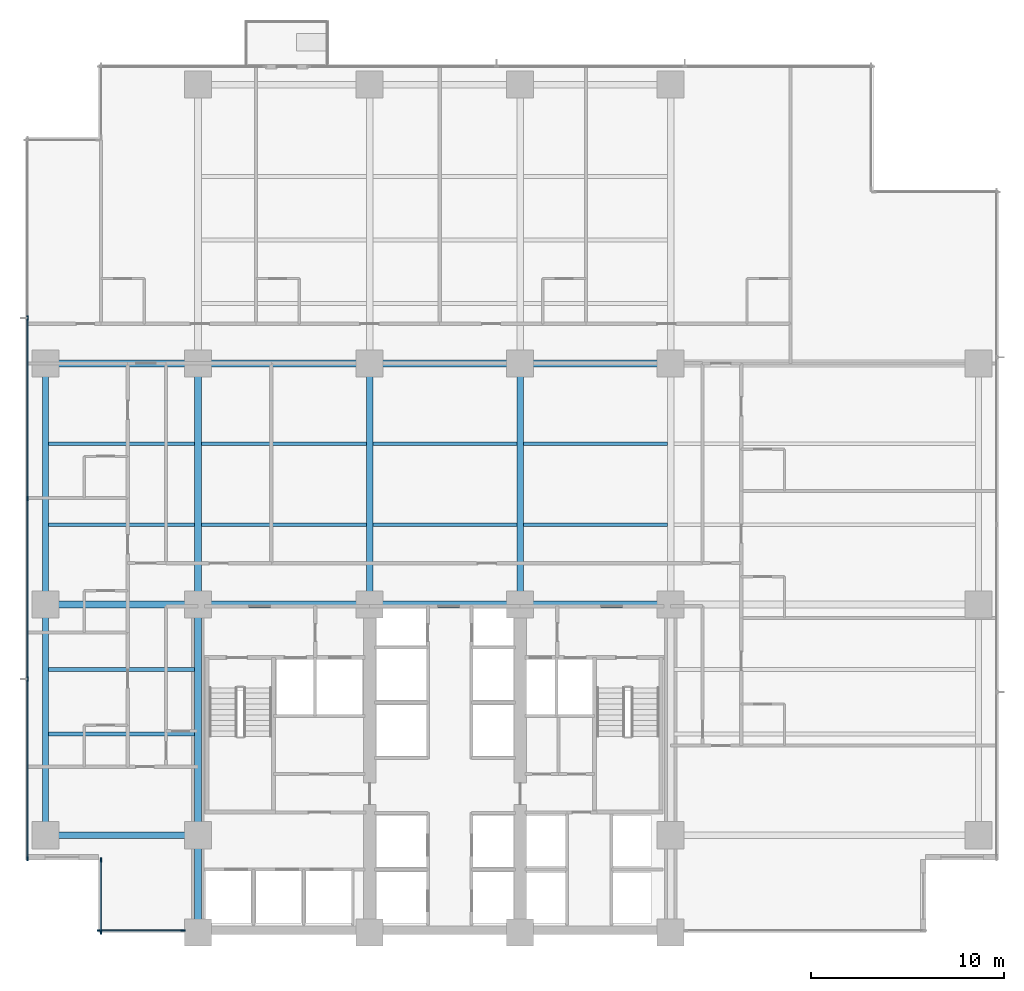
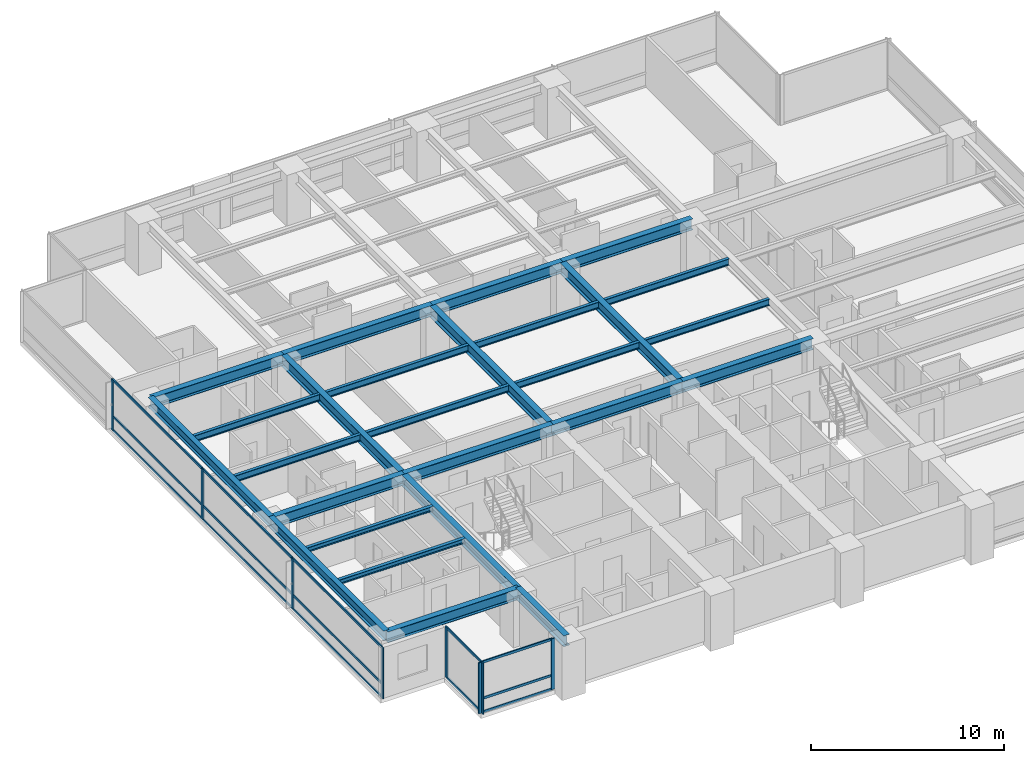
# One storey, part 2 of 17: 26 beams, 22 members, 3 elements without a shape of their own.
"""IFC4 building model written with IfcOpenShell, lengths in metres."""

import ifcopenshell
import ifcopenshell.guid

model = None  # the IFC model being written
_history = None  # IfcOwnerHistory: only IFC2X3 demands one
_inside = {}  # id of a spatial element -> (the spatial element, [elements in it])
_under = {}  # id of a project, library or spatial element -> (it, [spatial elements below it])
_declared = {}  # id of a project -> (the project, [libraries it declares])
_typed = {}  # id of a type object -> (the type object, [elements of that type])
_made_of = {}  # id of a material, layer set ... -> (it, [elements and type objects made of it])


def new_model(schema):
    """Start an empty IFC model of exactly this schema.

    Asked for "IFC4X3", IfcOpenShell would pick the latest addendum, in which some entities
    have other attributes; the version numbers below select the first issue.
    IFC2X3 requires an IfcOwnerHistory on every rooted entity: one is made here for all.
    """
    global model, _history
    if schema == "IFC4X3":
        model = ifcopenshell.file(schema_version=(4, 3, 0, 0))
    else:
        model = ifcopenshell.file(schema=schema)
    _inside.clear()
    _under.clear()
    _declared.clear()
    _typed.clear()
    _made_of.clear()
    _history = None
    if model.schema == "IFC2X3":
        org = make("IfcOrganization", Name="unknown")
        user = make(
            "IfcPersonAndOrganization",
            ThePerson=make("IfcPerson", FamilyName="unknown"),
            TheOrganization=org,
        )
        app = make(
            "IfcApplication",
            ApplicationDeveloper=org,
            Version="unknown",
            ApplicationFullName="unknown",
            ApplicationIdentifier="unknown",
        )
        _history = make(
            "IfcOwnerHistory",
            OwningUser=user,
            OwningApplication=app,
            ChangeAction="ADDED",
            CreationDate=0,
        )
    return model


def make(cls, **values):
    """One entity of the class cls with the attributes given. An attribute that is None is left unset."""
    return model.create_entity(
        cls, **{name: value for name, value in values.items() if value is not None}
    )


def rooted(cls, **values):
    """An entity with a GlobalId (a new one), such as an element, a storey or a relation."""
    return make(cls, GlobalId=ifcopenshell.guid.new(), OwnerHistory=_history, **values)


def si_unit(unit_type, name, prefix=None):
    """IfcSIUnit, for example si_unit("LENGTHUNIT", "METRE", prefix="MILLI")."""
    return make("IfcSIUnit", UnitType=unit_type, Prefix=prefix, Name=name)


def assignment(units):
    """IfcUnitAssignment: the units of a project."""
    return None if units is None else make("IfcUnitAssignment", Units=units)


def point(xyz):
    """IfcCartesianPoint."""
    return None if xyz is None else make("IfcCartesianPoint", Coordinates=xyz)


def direction(xyz):
    """IfcDirection."""
    return None if xyz is None else make("IfcDirection", DirectionRatios=xyz)


def frame(location, z_axis=None, x_axis=None):
    """IfcAxis2Placement3D, a coordinate frame: its origin and axes. An axis left out is left unset."""
    return make(
        "IfcAxis2Placement3D",
        Location=point(location),
        Axis=direction(z_axis),
        RefDirection=direction(x_axis),
    )


def frame_2d(location, x_axis=None):
    """IfcAxis2Placement2D, a coordinate frame in the plane: its origin and x axis."""
    return make(
        "IfcAxis2Placement2D", Location=point(location), RefDirection=direction(x_axis)
    )


def origin():
    """The frame at (0, 0, 0) with its axes left unset."""
    return frame((0.0, 0.0, 0.0))


def origin_2d():
    """The frame at (0, 0) in the plane with its x axis left unset."""
    return frame_2d((0.0, 0.0))


def place(relative_to, where):
    """IfcLocalPlacement: puts the frame where relative to a parent placement (None: the world)."""
    return make(
        "IfcLocalPlacement", PlacementRelTo=relative_to, RelativePlacement=where
    )


def context(
    kind, dimensions, precision=None, world=None, true_north=None, identifier=None
):
    """IfcGeometricRepresentationContext, for example the 3D "Model" context."""
    return make(
        "IfcGeometricRepresentationContext",
        ContextIdentifier=identifier,
        ContextType=kind,
        CoordinateSpaceDimension=dimensions,
        Precision=precision,
        WorldCoordinateSystem=world,
        TrueNorth=true_north,
    )


def subcontext(parent, identifier, kind, view, scale=None):
    """IfcGeometricRepresentationSubContext, for example "Body" below "Model"."""
    return make(
        "IfcGeometricRepresentationSubContext",
        ContextIdentifier=identifier,
        ContextType=kind,
        ParentContext=parent,
        TargetScale=scale,
        TargetView=view,
    )


def project(units=None, contexts=None):
    """IfcProject with its units and contexts."""
    return rooted(
        "IfcProject",
        Name="project",
        RepresentationContexts=contexts,
        UnitsInContext=assignment(units),
    )


def spatial(cls, under=None, at=None, **own):
    """A site, building, storey or space (cls), placed at a placement, below another one or the project."""
    s = rooted(cls, ObjectPlacement=at, **own)
    if under is not None:
        _under.setdefault(under.id(), (under, []))[1].append(s)
    return s


def profile(cls, at=None, kind="AREA", **sizes):
    """A parametric profile (cls). Its sizes go by their IFC names, for example OverallWidth=200.0."""
    return make(cls, ProfileType=kind, Position=at, **sizes)


def rectangle(**sizes):
    """IfcRectangleProfileDef."""
    return profile("IfcRectangleProfileDef", **sizes)


def i_section(**sizes):
    """IfcIShapeProfileDef."""
    return profile("IfcIShapeProfileDef", **sizes)


def extrude(swept, where, along, depth):
    """IfcExtrudedAreaSolid: the profile swept, set in the frame where, extruded along a direction by depth."""
    return make(
        "IfcExtrudedAreaSolid",
        SweptArea=swept,
        Position=where,
        ExtrudedDirection=direction(along),
        Depth=depth,
    )


def shape(context_of_items, identifier, shape_type, items):
    """IfcShapeRepresentation: the items that make up one representation, for example the "Body"."""
    return make(
        "IfcShapeRepresentation",
        ContextOfItems=context_of_items,
        RepresentationIdentifier=identifier,
        RepresentationType=shape_type,
        Items=items,
    )


def material(Name=None, Category=None):
    """IfcMaterial."""
    return make("IfcMaterial", Name=Name, Category=Category)


def layer(
    of_material, thickness, ventilated=None, Name=None, Category=None, Priority=None
):
    """IfcMaterialLayer: one layer of a wall or slab, of a material (None: an air gap)."""
    return make(
        "IfcMaterialLayer",
        Material=of_material,
        LayerThickness=thickness,
        IsVentilated=ventilated,
        Name=Name,
        Category=Category,
        Priority=Priority,
    )


def layer_set(layers, Name=None):
    """IfcMaterialLayerSet."""
    return make("IfcMaterialLayerSet", MaterialLayers=layers, LayerSetName=Name)


def material_profile(
    of_material, cross_section, Name=None, Category=None, Priority=None
):
    """IfcMaterialProfile: a cross section and its material."""
    return make(
        "IfcMaterialProfile",
        Name=Name,
        Material=of_material,
        Profile=cross_section,
        Priority=Priority,
        Category=Category,
    )


def profile_set(profiles, Name=None, composite=None):
    """IfcMaterialProfileSet."""
    return make(
        "IfcMaterialProfileSet",
        Name=Name,
        MaterialProfiles=profiles,
        CompositeProfile=composite,
    )


def made_of(thing, what):
    """Note that an element or type object is made of a material, layer set ...; save() writes the relation."""
    if what is not None:
        _made_of.setdefault(what.id(), (what, []))[1].append(thing)
    return thing


def type_object(cls, material=None, **own):
    """A type object (cls), such as IfcWallType, which elements share."""
    return made_of(rooted(cls, **own), material)


def element(
    cls,
    number,
    at=None,
    inside=None,
    cuts=None,
    type_object=None,
    material=None,
    context=None,
    identifier="Body",
    shape_type=None,
    held_by="IfcProductDefinitionShape",
    body=None,
    shapes=None,
    **own,
):
    """One element of the class cls, such as IfcWall. Its Tag is "e" and its number.

    at: its placement. inside: the storey or other place that contains it. cuts: it is an
    opening in that element (IfcRelVoidsElement). A single representation is given by context,
    identifier, shape_type and body (its items); several are given by shapes. held_by: the class
    of the entity that holds the representations. save() writes the other relations.
    """
    e = rooted(cls, Tag="e%d" % number, ObjectPlacement=at, **own)
    if body is not None:
        shapes = [shape(context, identifier, shape_type, body)]
    if shapes is not None:
        e.Representation = make(held_by, Representations=shapes)
    if inside is not None:
        _inside.setdefault(inside.id(), (inside, []))[1].append(e)
    if cuts is not None:
        rooted(
            "IfcRelVoidsElement", RelatingBuildingElement=cuts, RelatedOpeningElement=e
        )
    if type_object is not None:
        _typed.setdefault(type_object.id(), (type_object, []))[1].append(e)
    return made_of(e, material)


def aggregate(whole, parts):
    """IfcRelAggregates: a whole, such as a stair, and the parts it consists of."""
    return rooted("IfcRelAggregates", RelatingObject=whole, RelatedObjects=parts)


def save(model, path):
    """Write the relations noted so far, then the file.

    IfcRelAggregates (storeys below a building ...), IfcRelContainedInSpatialStructure (elements
    in a storey), IfcRelDefinesByType, IfcRelAssociatesMaterial and IfcRelDeclares: one each for
    every whole, place, type object, material and project.
    """
    for whole, parts in _under.values():
        aggregate(whole, parts)
    for where, things in _inside.values():
        rooted(
            "IfcRelContainedInSpatialStructure",
            RelatedElements=things,
            RelatingStructure=where,
        )
    for kind, things in _typed.values():
        rooted("IfcRelDefinesByType", RelatedObjects=things, RelatingType=kind)
    for what, things in _made_of.values():
        rooted("IfcRelAssociatesMaterial", RelatedObjects=things, RelatingMaterial=what)
    for by, libraries in _declared.values():
        rooted("IfcRelDeclares", RelatingContext=by, RelatedDefinitions=libraries)
    model.write(path)


model = new_model("IFC4")

# Units and contexts
model_context = context("Model", 3, precision=1e-05, world=origin(), true_north=direction((0.0, 1.0)))
body_context = subcontext(model_context, "Body", "Model", "MODEL_VIEW")
ifc_project = project(units=[si_unit("LENGTHUNIT", "METRE"), si_unit("AREAUNIT", "SQUARE_METRE"), si_unit("VOLUMEUNIT", "CUBIC_METRE"), si_unit("PLANEANGLEUNIT", "RADIAN"), si_unit("MASSUNIT", "GRAM", prefix="KILO")], contexts=[model_context])

# Site, building, storey
site_placement = place(None, origin())
site = spatial("IfcSite", under=ifc_project, at=site_placement, CompositionType="ELEMENT")
building_placement = place(site_placement, origin())
building = spatial("IfcBuilding", under=site, at=building_placement, Name="Qalmaran Belvedere Hotel", CompositionType="ELEMENT")
storey_placement = place(building_placement, frame((0.0, 0.0, 68.39990234375)))
storey = spatial("IfcBuildingStorey", under=building, at=storey_placement, Name="L17", CompositionType="ELEMENT", Elevation=68.39990234375)

# Beams
ifc_material_1 = material(Name="Steel S355JR", Category="steel")
ifc_material_profile_1 = material_profile(ifc_material_1, i_section(OverallWidth=0.202880859375, OverallDepth=0.302978515625, WebThickness=0.007568359375, FlangeThickness=0.01318359375, FilletRadius=0.012939453125, at=origin_2d()), Name="W310X60")
ifc_profile_set_1 = profile_set([ifc_material_profile_1], Name="Steel S355JR")
beam_type_1 = type_object("IfcBeamType", Name="BM-JST-W310X60", PredefinedType="JOIST", material=ifc_profile_set_1)
for number, where, z_axis, x_axis, name in (
    (1, (12.5615234375, 13.800048828125, 3.068603515625), (1.0, 0.0, 0.0), (0.0, 1.0, 0.0), "L17 West Wing Joist 038"),
    (2, (12.5615234375, 17.14990234375, 3.068603515625), (1.0, 0.0, 0.0), (0.0, 1.0, 0.0), "L17 West Wing Joist 040"),
):
    element("IfcBeam", number, at=place(storey_placement, frame(where, z_axis=z_axis, x_axis=x_axis)), inside=storey, type_object=beam_type_1, Name=name, PredefinedType="JOIST", context=body_context, shape_type="SweptSolid", body=[
        extrude(i_section(OverallWidth=0.202880859375, OverallDepth=0.302978515625, WebThickness=0.007568359375, FlangeThickness=0.01318359375, FilletRadius=0.012939453125, at=origin_2d()), origin(), (0.0, 0.0, 1.0), 7.56298828125),
    ])
ifc_material_profile_2 = material_profile(ifc_material_1, i_section(OverallWidth=0.180908203125, OverallDepth=0.4169921875, WebThickness=0.010986328125, FlangeThickness=0.018310546875, FilletRadius=0.014892578125, at=origin_2d()), Name="W410X85")
ifc_profile_set_2 = profile_set([ifc_material_profile_2], Name="Steel S355JR")
beam_type_2 = type_object("IfcBeamType", Name="BM-SB1-W410X85", PredefinedType="BEAM", material=ifc_profile_set_2)
beam_1_placement = place(storey_placement, frame((12.5615234375, 24.64990234375, 3.01171875), z_axis=(1.0, 0.0, 0.0), x_axis=(0.0, 1.0, 0.0)))
element("IfcBeam", 3, at=beam_1_placement, inside=storey, type_object=beam_type_2, Name="L17 West Secondary Beam 028", PredefinedType="BEAM", context=body_context, shape_type="SweptSolid", body=[
    extrude(i_section(OverallWidth=0.180908203125, OverallDepth=0.4169921875, WebThickness=0.010986328125, FlangeThickness=0.018310546875, FilletRadius=0.014892578125, at=origin_2d()), origin(), (0.0, 0.0, 1.0), 7.56298828125),
])
beam_2_placement = place(storey_placement, frame((20.4755859375, 24.64990234375, 3.01171875), z_axis=(1.0, 0.0, 0.0), x_axis=(0.0, 1.0, 0.0)))
element("IfcBeam", 4, at=beam_2_placement, inside=storey, type_object=beam_type_2, Name="L17 Secondary Floor Beam 029", PredefinedType="BEAM", context=body_context, shape_type="SweptSolid", body=[
    extrude(i_section(OverallWidth=0.180908203125, OverallDepth=0.4169921875, WebThickness=0.010986328125, FlangeThickness=0.018310546875, FilletRadius=0.014892578125, at=origin_2d()), origin(), (0.0, 0.0, 1.0), 8.548828125),
])
for number, where, z_axis, x_axis, name in (
    (5, (29.37548828125, 24.64990234375, 3.01171875), (1.0, 0.0, 0.0), (0.0, 1.0, 0.0), "L17 Secondary Floor Beam 030"),
    (6, (37.175537109375, 24.64990234375, 3.01171875), (1.0, 0.0, 0.0), (0.0, 1.0, 0.0), "L17 Secondary Floor Beam 031"),
):
    element("IfcBeam", number, at=place(storey_placement, frame(where, z_axis=z_axis, x_axis=x_axis)), inside=storey, type_object=beam_type_2, Name=name, PredefinedType="BEAM", context=body_context, shape_type="SweptSolid", body=[
        extrude(i_section(OverallWidth=0.180908203125, OverallDepth=0.4169921875, WebThickness=0.010986328125, FlangeThickness=0.018310546875, FilletRadius=0.014892578125, at=origin_2d()), origin(), (0.0, 0.0, 1.0), 7.448974609375),
    ])
beam_3_placement = place(storey_placement, frame((12.5615234375, 28.85009765625, 3.01171875), z_axis=(1.0, 0.0, 0.0), x_axis=(0.0, 1.0, 0.0)))
element("IfcBeam", 7, at=beam_3_placement, inside=storey, type_object=beam_type_2, Name="L17 West Secondary Beam 033", PredefinedType="BEAM", context=body_context, shape_type="SweptSolid", body=[
    extrude(i_section(OverallWidth=0.180908203125, OverallDepth=0.4169921875, WebThickness=0.010986328125, FlangeThickness=0.018310546875, FilletRadius=0.014892578125, at=origin_2d()), origin(), (0.0, 0.0, 1.0), 7.56298828125),
])
beam_4_placement = place(storey_placement, frame((20.4755859375, 28.85009765625, 3.01171875), z_axis=(1.0, 0.0, 0.0), x_axis=(0.0, 1.0, 0.0)))
element("IfcBeam", 8, at=beam_4_placement, inside=storey, type_object=beam_type_2, Name="L17 Secondary Floor Beam 034", PredefinedType="BEAM", context=body_context, shape_type="SweptSolid", body=[
    extrude(i_section(OverallWidth=0.180908203125, OverallDepth=0.4169921875, WebThickness=0.010986328125, FlangeThickness=0.018310546875, FilletRadius=0.014892578125, at=origin_2d()), origin(), (0.0, 0.0, 1.0), 8.548828125),
])
for number, where, z_axis, x_axis, name in (
    (9, (29.37548828125, 28.85009765625, 3.01171875), (1.0, 0.0, 0.0), (0.0, 1.0, 0.0), "L17 Secondary Floor Beam 035"),
    (10, (37.175537109375, 28.85009765625, 3.01171875), (1.0, 0.0, 0.0), (0.0, 1.0, 0.0), "L17 Secondary Floor Beam 036"),
):
    element("IfcBeam", number, at=place(storey_placement, frame(where, z_axis=z_axis, x_axis=x_axis)), inside=storey, type_object=beam_type_2, Name=name, PredefinedType="BEAM", context=body_context, shape_type="SweptSolid", body=[
        extrude(i_section(OverallWidth=0.180908203125, OverallDepth=0.4169921875, WebThickness=0.010986328125, FlangeThickness=0.018310546875, FilletRadius=0.014892578125, at=origin_2d()), origin(), (0.0, 0.0, 1.0), 7.448974609375),
    ])
ifc_material_profile_3 = material_profile(ifc_material_1, i_section(OverallWidth=0.326904296875, OverallDepth=0.6220703125, WebThickness=0.015380859375, FlangeThickness=0.0244140625, FilletRadius=0.02001953125, at=origin_2d()), Name="W610X195")
ifc_profile_set_3 = profile_set([ifc_material_profile_3], Name="Steel S355JR")
beam_type_3 = type_object("IfcBeamType", Name="BM-SP1-W610X195", PredefinedType="SPANDREL", material=ifc_profile_set_3)
beam_5_placement = place(storey_placement, frame((12.39990234375, 8.550048828125, 2.9091796875), z_axis=(0.0, 1.0, 0.0), x_axis=(-1.0, 0.0, 0.0)))
element("IfcBeam", 11, at=beam_5_placement, inside=storey, type_object=beam_type_3, Name="L17 Perimeter Spandrel 01", PredefinedType="SPANDREL", context=body_context, shape_type="SweptSolid", body=[
    extrude(i_section(OverallWidth=0.326904296875, OverallDepth=0.6220703125, WebThickness=0.015380859375, FlangeThickness=0.0244140625, FilletRadius=0.02001953125, at=origin_2d()), origin(), (0.0, 0.0, 1.0), 11.949951171875),
])
beam_6_placement = place(storey_placement, frame((12.39990234375, 20.5, 2.9091796875), z_axis=(0.0, 1.0, 0.0), x_axis=(-1.0, 0.0, 0.0)))
element("IfcBeam", 12, at=beam_6_placement, inside=storey, type_object=beam_type_3, Name="L17 Perimeter Spandrel 02", PredefinedType="SPANDREL", context=body_context, shape_type="SweptSolid", body=[
    extrude(i_section(OverallWidth=0.326904296875, OverallDepth=0.6220703125, WebThickness=0.015380859375, FlangeThickness=0.0244140625, FilletRadius=0.02001953125, at=origin_2d()), origin(), (0.0, 0.0, 1.0), 12.5),
])
ifc_material_profile_4 = material_profile(ifc_material_1, i_section(OverallWidth=0.35498046875, OverallDepth=0.695068359375, WebThickness=0.015380859375, FlangeThickness=0.02490234375, FilletRadius=0.02197265625, at=origin_2d()), Name="W690X217")
ifc_profile_set_4 = profile_set([ifc_material_profile_4], Name="Steel S355JR")
beam_type_4 = type_object("IfcBeamType", Name="BM-Z1-W690X217", PredefinedType="USERDEFINED", material=ifc_profile_set_4)
beam_7_placement = place(storey_placement, frame((20.300048828125, 20.5, 2.87255859375), z_axis=(1.0, 0.0, 0.0), x_axis=(0.0, 1.0, 0.0)))
element("IfcBeam", 13, at=beam_7_placement, inside=storey, type_object=beam_type_4, Name="L17 Interior E-W Girder 08", ObjectType="GIRDER", PredefinedType="USERDEFINED", context=body_context, shape_type="SweptSolid", body=[
    extrude(i_section(OverallWidth=0.35498046875, OverallDepth=0.695068359375, WebThickness=0.015380859375, FlangeThickness=0.02490234375, FilletRadius=0.02197265625, at=origin_2d()), origin(), (0.0, 0.0, 1.0), 8.89990234375),
])
for number, where, z_axis, x_axis, name in (
    (14, (29.199951171875, 20.5, 2.87255859375), (1.0, 0.0, 0.0), (0.0, 1.0, 0.0), "L17 Interior E-W Girder 09"),
    (15, (37.0, 20.5, 2.87255859375), (1.0, 0.0, 0.0), (0.0, 1.0, 0.0), "L17 Interior E-W Girder 10"),
):
    element("IfcBeam", number, at=place(storey_placement, frame(where, z_axis=z_axis, x_axis=x_axis)), inside=storey, type_object=beam_type_4, Name=name, ObjectType="GIRDER", PredefinedType="USERDEFINED", context=body_context, shape_type="SweptSolid", body=[
        extrude(i_section(OverallWidth=0.35498046875, OverallDepth=0.695068359375, WebThickness=0.015380859375, FlangeThickness=0.02490234375, FilletRadius=0.02197265625, at=origin_2d()), origin(), (0.0, 0.0, 1.0), 7.800048828125),
    ])
beam_8_placement = place(storey_placement, frame((20.300048828125, 33.0, 2.87255859375), z_axis=(1.0, 0.0, 0.0), x_axis=(0.0, 1.0, 0.0)))
element("IfcBeam", 16, at=beam_8_placement, inside=storey, type_object=beam_type_4, Name="L17 Interior E-W Girder 11", ObjectType="GIRDER", PredefinedType="USERDEFINED", context=body_context, shape_type="SweptSolid", body=[
    extrude(i_section(OverallWidth=0.35498046875, OverallDepth=0.695068359375, WebThickness=0.015380859375, FlangeThickness=0.02490234375, FilletRadius=0.02197265625, at=origin_2d()), origin(), (0.0, 0.0, 1.0), 8.89990234375),
])
for number, where, z_axis, x_axis, name in (
    (17, (29.199951171875, 33.0, 2.87255859375), (1.0, 0.0, 0.0), (0.0, 1.0, 0.0), "L17 Interior E-W Girder 12"),
    (18, (37.0, 33.0, 2.87255859375), (1.0, 0.0, 0.0), (0.0, 1.0, 0.0), "L17 Interior E-W Girder 13"),
):
    element("IfcBeam", number, at=place(storey_placement, frame(where, z_axis=z_axis, x_axis=x_axis)), inside=storey, type_object=beam_type_4, Name=name, ObjectType="GIRDER", PredefinedType="USERDEFINED", context=body_context, shape_type="SweptSolid", body=[
        extrude(i_section(OverallWidth=0.35498046875, OverallDepth=0.695068359375, WebThickness=0.015380859375, FlangeThickness=0.02490234375, FilletRadius=0.02197265625, at=origin_2d()), origin(), (0.0, 0.0, 1.0), 7.800048828125),
    ])
for number, where, z_axis, x_axis, name in (
    (19, (20.300048828125, 20.5, 2.87255859375), (0.0, 1.0, 0.0), (-1.0, 0.0, 0.0), "L17 Mid-Plate N-S Girder 14"),
    (20, (29.199951171875, 20.5, 2.87255859375), (0.0, 1.0, 0.0), (-1.0, 0.0, 0.0), "L17 Mid-Plate N-S Girder 16"),
    (21, (37.0, 20.5, 2.87255859375), (0.0, 1.0, 0.0), (-1.0, 0.0, 0.0), "L17 Mid-Plate N-S Girder 18"),
):
    element("IfcBeam", number, at=place(storey_placement, frame(where, z_axis=z_axis, x_axis=x_axis)), inside=storey, type_object=beam_type_4, Name=name, ObjectType="GIRDER", PredefinedType="USERDEFINED", context=body_context, shape_type="SweptSolid", body=[
        extrude(i_section(OverallWidth=0.35498046875, OverallDepth=0.695068359375, WebThickness=0.015380859375, FlangeThickness=0.02490234375, FilletRadius=0.02197265625, at=origin_2d()), origin(), (0.0, 0.0, 1.0), 12.5),
    ])
for number, where, z_axis, x_axis, name in (
    (22, (12.39990234375, 8.550048828125, 2.87255859375), (1.0, 0.0, 0.0), (0.0, 1.0, 0.0), "L17 West Wing Girder 22"),
    (23, (12.39990234375, 20.5, 2.87255859375), (1.0, 0.0, 0.0), (0.0, 1.0, 0.0), "L17 West Wing Girder 23"),
    (24, (12.39990234375, 33.0, 2.87255859375), (1.0, 0.0, 0.0), (0.0, 1.0, 0.0), "L17 West Wing Girder 24"),
):
    element("IfcBeam", number, at=place(storey_placement, frame(where, z_axis=z_axis, x_axis=x_axis)), inside=storey, type_object=beam_type_4, Name=name, ObjectType="GIRDER", PredefinedType="USERDEFINED", context=body_context, shape_type="SweptSolid", body=[
        extrude(i_section(OverallWidth=0.35498046875, OverallDepth=0.695068359375, WebThickness=0.015380859375, FlangeThickness=0.02490234375, FilletRadius=0.02197265625, at=origin_2d()), origin(), (0.0, 0.0, 1.0), 7.900146484375),
    ])
beam_9_placement = place(storey_placement, frame((20.300048828125, 3.5, 2.87255859375), z_axis=(0.0, 1.0, 0.0), x_axis=(-1.0, 0.0, 0.0)))
element("IfcBeam", 25, at=beam_9_placement, inside=storey, type_object=beam_type_4, Name="L17 West Core Edge Girder A", ObjectType="GIRDER", PredefinedType="USERDEFINED", context=body_context, shape_type="SweptSolid", body=[
    extrude(i_section(OverallWidth=0.35498046875, OverallDepth=0.695068359375, WebThickness=0.015380859375, FlangeThickness=0.02490234375, FilletRadius=0.02197265625, at=origin_2d()), origin(), (0.0, 0.0, 1.0), 5.050048828125),
])
beam_10_placement = place(storey_placement, frame((20.300048828125, 8.550048828125, 2.87255859375), z_axis=(0.0, 1.0, 0.0), x_axis=(-1.0, 0.0, 0.0)))
element("IfcBeam", 26, at=beam_10_placement, inside=storey, type_object=beam_type_4, Name="L17 West Core Edge Girder B", ObjectType="GIRDER", PredefinedType="USERDEFINED", context=body_context, shape_type="SweptSolid", body=[
    extrude(i_section(OverallWidth=0.35498046875, OverallDepth=0.695068359375, WebThickness=0.015380859375, FlangeThickness=0.02490234375, FilletRadius=0.02197265625, at=origin_2d()), origin(), (0.0, 0.0, 1.0), 11.949951171875),
])

# Curtain wall, members
ifc_material_2 = material(Name="Anodised Bronze Aluminium", Category="aluminium")
ifc_layer = layer(ifc_material_2, 0.2099609375, Name="Anodised Bronze Aluminium")
ifc_layer_set = layer_set([ifc_layer], Name="Anodised Bronze Aluminium")
curtain_wall_type = type_object("IfcCurtainWallType", Name="CW2-TOWER-LOWER", PredefinedType="NOTDEFINED", material=ifc_layer_set)
curtain_wall_1_placement = place(storey_placement, origin())
curtain_wall_1 = element("IfcCurtainWall", 27, at=curtain_wall_1_placement, inside=storey, type_object=curtain_wall_type, Name="L17 Curtain Wall CW2", PredefinedType="NOTDEFINED")
ifc_material_profile_5 = material_profile(ifc_material_2, rectangle(XDim=0.074951171875, YDim=0.219970703125, at=origin_2d()), Name="CWM75X220")
ifc_profile_set_5 = profile_set([ifc_material_profile_5], Name="Anodised Bronze Aluminium")
member_type_1 = type_object("IfcMemberType", Name="CWM-75X220", PredefinedType="MULLION", material=ifc_profile_set_5)
member_1_placement = place(storey_placement, frame((15.1875, 3.6201171875, 0.0), z_axis=(0.0, 0.0, 1.0), x_axis=(0.0, 1.0, 0.0)))
member_1 = element("IfcMember", 28, at=member_1_placement, type_object=member_type_1, Name="CW2 mullion 1", PredefinedType="MULLION", context=body_context, shape_type="SweptSolid", body=[
    extrude(rectangle(XDim=0.074951171875, YDim=0.219970703125, at=origin_2d()), origin(), (0.0, 0.0, 1.0), 3.22021484375),
])
member_2_placement = place(storey_placement, frame((19.5224609375, 3.6201171875, 0.0), z_axis=(0.0, 0.0, 1.0), x_axis=(0.0, 1.0, 0.0)))
member_2 = element("IfcMember", 29, at=member_2_placement, type_object=member_type_1, Name="CW2 mullion 2", PredefinedType="MULLION", context=body_context, shape_type="SweptSolid", body=[
    extrude(rectangle(XDim=0.074951171875, YDim=0.219970703125, at=origin_2d()), origin(), (0.0, 0.0, 1.0), 3.22021484375),
])

curtain_wall_2_placement = place(storey_placement, origin())
curtain_wall_2 = element("IfcCurtainWall", 30, at=curtain_wall_2_placement, inside=storey, type_object=curtain_wall_type, Name="L17 Curtain Wall CW2", PredefinedType="NOTDEFINED")
member_3_placement = place(storey_placement, frame((11.469970703125, 35.35009765625, 0.0), z_axis=(0.0, 0.0, 1.0), x_axis=(1.0, 0.0, 0.0)))
member_3 = element("IfcMember", 31, at=member_3_placement, type_object=member_type_1, Name="CW2 mullion 2", PredefinedType="MULLION", context=body_context, shape_type="SweptSolid", body=[
    extrude(rectangle(XDim=0.074951171875, YDim=0.219970703125, at=origin_2d()), origin(), (0.0, 0.0, 1.0), 3.22021484375),
])
member_4_placement = place(storey_placement, frame((11.469970703125, 26.0, 0.0), z_axis=(0.0, 0.0, 1.0), x_axis=(1.0, 0.0, 0.0)))
member_4 = element("IfcMember", 32, at=member_4_placement, type_object=member_type_1, Name="CW2 mullion 3", PredefinedType="MULLION", context=body_context, shape_type="SweptSolid", body=[
    extrude(rectangle(XDim=0.074951171875, YDim=0.219970703125, at=origin_2d()), origin(), (0.0, 0.0, 1.0), 3.22021484375),
])
member_5_placement = place(storey_placement, frame((11.469970703125, 16.64990234375, 0.0), z_axis=(0.0, 0.0, 1.0), x_axis=(1.0, 0.0, 0.0)))
member_5 = element("IfcMember", 33, at=member_5_placement, type_object=member_type_1, Name="CW2 mullion 4", PredefinedType="MULLION", context=body_context, shape_type="SweptSolid", body=[
    extrude(rectangle(XDim=0.074951171875, YDim=0.219970703125, at=origin_2d()), origin(), (0.0, 0.0, 1.0), 3.22021484375),
])
member_6_placement = place(storey_placement, frame((11.469970703125, 7.33740234375, 0.0), z_axis=(0.0, 0.0, 1.0), x_axis=(1.0, 0.0, 0.0)))
member_6 = element("IfcMember", 34, at=member_6_placement, type_object=member_type_1, Name="CW2 mullion 5", PredefinedType="MULLION", context=body_context, shape_type="SweptSolid", body=[
    extrude(rectangle(XDim=0.074951171875, YDim=0.219970703125, at=origin_2d()), origin(), (0.0, 0.0, 1.0), 3.22021484375),
])

curtain_wall_3_placement = place(storey_placement, origin())
curtain_wall_3 = element("IfcCurtainWall", 35, at=curtain_wall_3_placement, inside=storey, type_object=curtain_wall_type, Name="L17 Curtain Wall CW2", PredefinedType="NOTDEFINED")
member_7_placement = place(storey_placement, frame((15.27001953125, 7.262451171875, 0.0), z_axis=(0.0, 0.0, 1.0), x_axis=(1.0, 0.0, 0.0)))
member_7 = element("IfcMember", 36, at=member_7_placement, type_object=member_type_1, Name="CW2 mullion 1", PredefinedType="MULLION", context=body_context, shape_type="SweptSolid", body=[
    extrude(rectangle(XDim=0.074951171875, YDim=0.219970703125, at=origin_2d()), origin(), (0.0, 0.0, 1.0), 3.22021484375),
])
member_8_placement = place(storey_placement, frame((15.27001953125, 3.53759765625, 0.0), z_axis=(0.0, 0.0, 1.0), x_axis=(1.0, 0.0, 0.0)))
member_8 = element("IfcMember", 37, at=member_8_placement, type_object=member_type_1, Name="CW2 mullion 2", PredefinedType="MULLION", context=body_context, shape_type="SweptSolid", body=[
    extrude(rectangle(XDim=0.074951171875, YDim=0.219970703125, at=origin_2d()), origin(), (0.0, 0.0, 1.0), 3.22021484375),
])

# Member
ifc_material_profile_6 = material_profile(ifc_material_2, rectangle(XDim=0.070068359375, YDim=0.14990234375, at=origin_2d()), Name="CWT70X150")
ifc_profile_set_6 = profile_set([ifc_material_profile_6], Name="Anodised Bronze Aluminium")
member_type_2 = type_object("IfcMemberType", Name="CWT-70X150", PredefinedType="USERDEFINED", material=ifc_profile_set_6)
member_9_placement = place(storey_placement, frame((15.22509765625, 3.6201171875, 0.03515625), z_axis=(1.0, 0.0, 0.0), x_axis=(0.0, 1.0, 0.0)))
member_9 = element("IfcMember", 38, at=member_9_placement, type_object=member_type_2, Name="CW2 transom 1.1", ObjectType="TRANSOM", PredefinedType="USERDEFINED", context=body_context, shape_type="SweptSolid", body=[
    extrude(rectangle(XDim=0.070068359375, YDim=0.14990234375, at=origin_2d()), origin(), (0.0, 0.0, 1.0), 4.260009765625),
])

member_10_placement = place(storey_placement, frame((15.22509765625, 3.6201171875, 0.901611328125), z_axis=(1.0, 0.0, 0.0), x_axis=(0.0, 1.0, 0.0)))
member_10 = element("IfcMember", 39, at=member_10_placement, type_object=member_type_2, Name="CW2 transom 1.2", ObjectType="TRANSOM", PredefinedType="USERDEFINED", context=body_context, shape_type="SweptSolid", body=[
    extrude(rectangle(XDim=0.070068359375, YDim=0.14990234375, at=origin_2d()), origin(), (0.0, 0.0, 1.0), 4.260009765625),
])

member_11_placement = place(storey_placement, frame((15.22509765625, 3.6201171875, 3.18505859375), z_axis=(1.0, 0.0, 0.0), x_axis=(0.0, 1.0, 0.0)))
member_11 = element("IfcMember", 40, at=member_11_placement, type_object=member_type_2, Name="CW2 transom 1.3", ObjectType="TRANSOM", PredefinedType="USERDEFINED", context=body_context, shape_type="SweptSolid", body=[
    extrude(rectangle(XDim=0.070068359375, YDim=0.14990234375, at=origin_2d()), origin(), (0.0, 0.0, 1.0), 4.260009765625),
])

aggregate(curtain_wall_1, [member_1, member_2, member_9, member_10, member_11])

member_12_placement = place(storey_placement, frame((11.469970703125, 35.3125, 0.03515625), z_axis=(0.0, -1.0, 0.0), x_axis=(1.0, 0.0, 0.0)))
member_12 = element("IfcMember", 41, at=member_12_placement, type_object=member_type_2, Name="CW2 transom 2.1", ObjectType="TRANSOM", PredefinedType="USERDEFINED", context=body_context, shape_type="SweptSolid", body=[
    extrude(rectangle(XDim=0.070068359375, YDim=0.14990234375, at=origin_2d()), origin(), (0.0, 0.0, 1.0), 9.27490234375),
])

member_13_placement = place(storey_placement, frame((11.469970703125, 35.3125, 0.901611328125), z_axis=(0.0, -1.0, 0.0), x_axis=(1.0, 0.0, 0.0)))
member_13 = element("IfcMember", 42, at=member_13_placement, type_object=member_type_2, Name="CW2 transom 2.2", ObjectType="TRANSOM", PredefinedType="USERDEFINED", context=body_context, shape_type="SweptSolid", body=[
    extrude(rectangle(XDim=0.070068359375, YDim=0.14990234375, at=origin_2d()), origin(), (0.0, 0.0, 1.0), 9.27490234375),
])

member_14_placement = place(storey_placement, frame((11.469970703125, 35.3125, 3.18505859375), z_axis=(0.0, -1.0, 0.0), x_axis=(1.0, 0.0, 0.0)))
member_14 = element("IfcMember", 43, at=member_14_placement, type_object=member_type_2, Name="CW2 transom 2.3", ObjectType="TRANSOM", PredefinedType="USERDEFINED", context=body_context, shape_type="SweptSolid", body=[
    extrude(rectangle(XDim=0.070068359375, YDim=0.14990234375, at=origin_2d()), origin(), (0.0, 0.0, 1.0), 9.27490234375),
])

member_15_placement = place(storey_placement, frame((11.469970703125, 25.96240234375, 0.03515625), z_axis=(0.0, -1.0, 0.0), x_axis=(1.0, 0.0, 0.0)))
member_15 = element("IfcMember", 44, at=member_15_placement, type_object=member_type_2, Name="CW2 transom 3.1", ObjectType="TRANSOM", PredefinedType="USERDEFINED", context=body_context, shape_type="SweptSolid", body=[
    extrude(rectangle(XDim=0.070068359375, YDim=0.14990234375, at=origin_2d()), origin(), (0.0, 0.0, 1.0), 9.27490234375),
])

member_16_placement = place(storey_placement, frame((11.469970703125, 25.96240234375, 0.901611328125), z_axis=(0.0, -1.0, 0.0), x_axis=(1.0, 0.0, 0.0)))
member_16 = element("IfcMember", 45, at=member_16_placement, type_object=member_type_2, Name="CW2 transom 3.2", ObjectType="TRANSOM", PredefinedType="USERDEFINED", context=body_context, shape_type="SweptSolid", body=[
    extrude(rectangle(XDim=0.070068359375, YDim=0.14990234375, at=origin_2d()), origin(), (0.0, 0.0, 1.0), 9.27490234375),
])

member_17_placement = place(storey_placement, frame((11.469970703125, 25.96240234375, 3.18505859375), z_axis=(0.0, -1.0, 0.0), x_axis=(1.0, 0.0, 0.0)))
member_17 = element("IfcMember", 46, at=member_17_placement, type_object=member_type_2, Name="CW2 transom 3.3", ObjectType="TRANSOM", PredefinedType="USERDEFINED", context=body_context, shape_type="SweptSolid", body=[
    extrude(rectangle(XDim=0.070068359375, YDim=0.14990234375, at=origin_2d()), origin(), (0.0, 0.0, 1.0), 9.27490234375),
])

member_18_placement = place(storey_placement, frame((11.469970703125, 16.612548828125, 0.03515625), z_axis=(0.0, -1.0, 0.0), x_axis=(1.0, 0.0, 0.0)))
member_18 = element("IfcMember", 47, at=member_18_placement, type_object=member_type_2, Name="CW2 transom 4.1", ObjectType="TRANSOM", PredefinedType="USERDEFINED", context=body_context, shape_type="SweptSolid", body=[
    extrude(rectangle(XDim=0.070068359375, YDim=0.14990234375, at=origin_2d()), origin(), (0.0, 0.0, 1.0), 9.237548828125),
])

member_19_placement = place(storey_placement, frame((11.469970703125, 16.612548828125, 0.901611328125), z_axis=(0.0, -1.0, 0.0), x_axis=(1.0, 0.0, 0.0)))
member_19 = element("IfcMember", 48, at=member_19_placement, type_object=member_type_2, Name="CW2 transom 4.2", ObjectType="TRANSOM", PredefinedType="USERDEFINED", context=body_context, shape_type="SweptSolid", body=[
    extrude(rectangle(XDim=0.070068359375, YDim=0.14990234375, at=origin_2d()), origin(), (0.0, 0.0, 1.0), 9.237548828125),
])

member_20_placement = place(storey_placement, frame((11.469970703125, 16.612548828125, 3.18505859375), z_axis=(0.0, -1.0, 0.0), x_axis=(1.0, 0.0, 0.0)))
member_20 = element("IfcMember", 49, at=member_20_placement, type_object=member_type_2, Name="CW2 transom 4.3", ObjectType="TRANSOM", PredefinedType="USERDEFINED", context=body_context, shape_type="SweptSolid", body=[
    extrude(rectangle(XDim=0.070068359375, YDim=0.14990234375, at=origin_2d()), origin(), (0.0, 0.0, 1.0), 9.237548828125),
])

aggregate(curtain_wall_2, [member_3, member_4, member_5, member_6, member_12, member_13, member_14, member_15, member_16, member_17, member_18, member_19, member_20])

member_21_placement = place(storey_placement, frame((15.27001953125, 7.22509765625, 0.03515625), z_axis=(0.0, -1.0, 0.0), x_axis=(1.0, 0.0, 0.0)))
member_21 = element("IfcMember", 50, at=member_21_placement, type_object=member_type_2, Name="CW2 transom 1.1", ObjectType="TRANSOM", PredefinedType="USERDEFINED", context=body_context, shape_type="SweptSolid", body=[
    extrude(rectangle(XDim=0.070068359375, YDim=0.14990234375, at=origin_2d()), origin(), (0.0, 0.0, 1.0), 3.650146484375),
])

member_22_placement = place(storey_placement, frame((15.27001953125, 7.22509765625, 3.18505859375), z_axis=(0.0, -1.0, 0.0), x_axis=(1.0, 0.0, 0.0)))
member_22 = element("IfcMember", 51, at=member_22_placement, type_object=member_type_2, Name="CW2 transom 1.2", ObjectType="TRANSOM", PredefinedType="USERDEFINED", context=body_context, shape_type="SweptSolid", body=[
    extrude(rectangle(XDim=0.070068359375, YDim=0.14990234375, at=origin_2d()), origin(), (0.0, 0.0, 1.0), 3.650146484375),
])

aggregate(curtain_wall_3, [member_7, member_8, member_21, member_22])

save(model, "model.ifc")
